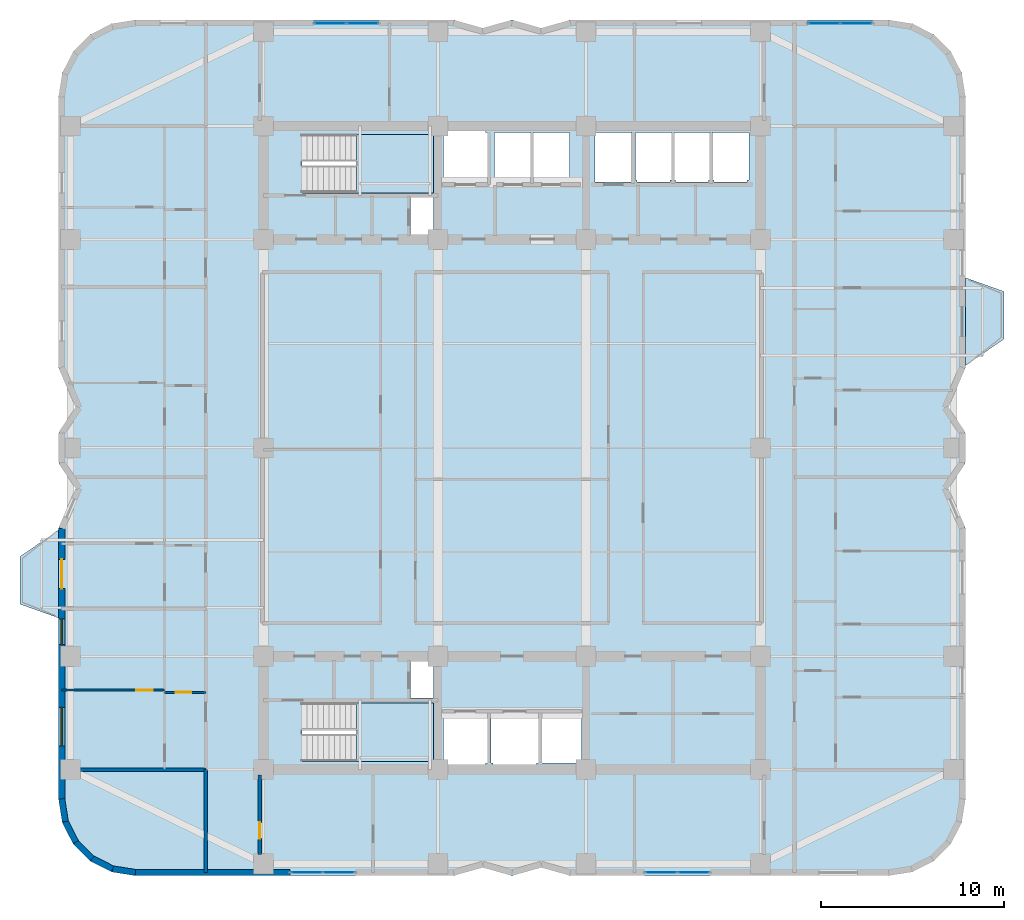
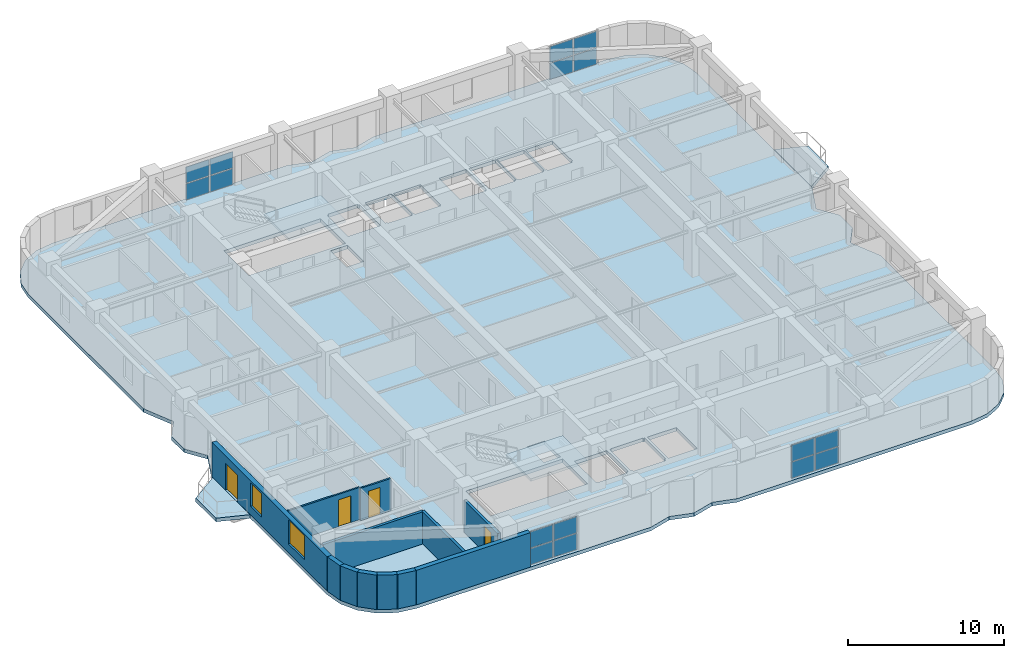
# One storey, part 7 of 15: 16 plates, 12 walls, 5 slabs, 4 doors, 2 windows, 6 openings, 6 elements without a shape of their own.
"""IFC4 building model written with IfcOpenShell, lengths in metres."""

import ifcopenshell
import ifcopenshell.guid

model = None  # the IFC model being written
_history = None  # IfcOwnerHistory: only IFC2X3 demands one
_inside = {}  # id of a spatial element -> (the spatial element, [elements in it])
_under = {}  # id of a project, library or spatial element -> (it, [spatial elements below it])
_declared = {}  # id of a project -> (the project, [libraries it declares])
_typed = {}  # id of a type object -> (the type object, [elements of that type])
_made_of = {}  # id of a material, layer set ... -> (it, [elements and type objects made of it])


def new_model(schema):
    """Start an empty IFC model of exactly this schema.

    Asked for "IFC4X3", IfcOpenShell would pick the latest addendum, in which some entities
    have other attributes; the version numbers below select the first issue.
    IFC2X3 requires an IfcOwnerHistory on every rooted entity: one is made here for all.
    """
    global model, _history
    if schema == "IFC4X3":
        model = ifcopenshell.file(schema_version=(4, 3, 0, 0))
    else:
        model = ifcopenshell.file(schema=schema)
    _inside.clear()
    _under.clear()
    _declared.clear()
    _typed.clear()
    _made_of.clear()
    _history = None
    if model.schema == "IFC2X3":
        org = make("IfcOrganization", Name="unknown")
        user = make(
            "IfcPersonAndOrganization",
            ThePerson=make("IfcPerson", FamilyName="unknown"),
            TheOrganization=org,
        )
        app = make(
            "IfcApplication",
            ApplicationDeveloper=org,
            Version="unknown",
            ApplicationFullName="unknown",
            ApplicationIdentifier="unknown",
        )
        _history = make(
            "IfcOwnerHistory",
            OwningUser=user,
            OwningApplication=app,
            ChangeAction="ADDED",
            CreationDate=0,
        )
    return model


def make(cls, **values):
    """One entity of the class cls with the attributes given. An attribute that is None is left unset."""
    return model.create_entity(
        cls, **{name: value for name, value in values.items() if value is not None}
    )


def rooted(cls, **values):
    """An entity with a GlobalId (a new one), such as an element, a storey or a relation."""
    return make(cls, GlobalId=ifcopenshell.guid.new(), OwnerHistory=_history, **values)


def si_unit(unit_type, name, prefix=None):
    """IfcSIUnit, for example si_unit("LENGTHUNIT", "METRE", prefix="MILLI")."""
    return make("IfcSIUnit", UnitType=unit_type, Prefix=prefix, Name=name)


def assignment(units):
    """IfcUnitAssignment: the units of a project."""
    return None if units is None else make("IfcUnitAssignment", Units=units)


def point(xyz):
    """IfcCartesianPoint."""
    return None if xyz is None else make("IfcCartesianPoint", Coordinates=xyz)


def direction(xyz):
    """IfcDirection."""
    return None if xyz is None else make("IfcDirection", DirectionRatios=xyz)


def frame(location, z_axis=None, x_axis=None):
    """IfcAxis2Placement3D, a coordinate frame: its origin and axes. An axis left out is left unset."""
    return make(
        "IfcAxis2Placement3D",
        Location=point(location),
        Axis=direction(z_axis),
        RefDirection=direction(x_axis),
    )


def frame_2d(location, x_axis=None):
    """IfcAxis2Placement2D, a coordinate frame in the plane: its origin and x axis."""
    return make(
        "IfcAxis2Placement2D", Location=point(location), RefDirection=direction(x_axis)
    )


def origin():
    """The frame at (0, 0, 0) with its axes left unset."""
    return frame((0.0, 0.0, 0.0))


def origin_2d():
    """The frame at (0, 0) in the plane with its x axis left unset."""
    return frame_2d((0.0, 0.0))


def place(relative_to, where):
    """IfcLocalPlacement: puts the frame where relative to a parent placement (None: the world)."""
    return make(
        "IfcLocalPlacement", PlacementRelTo=relative_to, RelativePlacement=where
    )


def context(
    kind, dimensions, precision=None, world=None, true_north=None, identifier=None
):
    """IfcGeometricRepresentationContext, for example the 3D "Model" context."""
    return make(
        "IfcGeometricRepresentationContext",
        ContextIdentifier=identifier,
        ContextType=kind,
        CoordinateSpaceDimension=dimensions,
        Precision=precision,
        WorldCoordinateSystem=world,
        TrueNorth=true_north,
    )


def subcontext(parent, identifier, kind, view, scale=None):
    """IfcGeometricRepresentationSubContext, for example "Body" below "Model"."""
    return make(
        "IfcGeometricRepresentationSubContext",
        ContextIdentifier=identifier,
        ContextType=kind,
        ParentContext=parent,
        TargetScale=scale,
        TargetView=view,
    )


def project(units=None, contexts=None):
    """IfcProject with its units and contexts."""
    return rooted(
        "IfcProject",
        Name="project",
        RepresentationContexts=contexts,
        UnitsInContext=assignment(units),
    )


def spatial(cls, under=None, at=None, **own):
    """A site, building, storey or space (cls), placed at a placement, below another one or the project."""
    s = rooted(cls, ObjectPlacement=at, **own)
    if under is not None:
        _under.setdefault(under.id(), (under, []))[1].append(s)
    return s


def polyline(points):
    """IfcPolyline through the points."""
    return make("IfcPolyline", Points=[point(p) for p in points])


def profile(cls, at=None, kind="AREA", **sizes):
    """A parametric profile (cls). Its sizes go by their IFC names, for example OverallWidth=200.0."""
    return make(cls, ProfileType=kind, Position=at, **sizes)


def rectangle(**sizes):
    """IfcRectangleProfileDef."""
    return profile("IfcRectangleProfileDef", **sizes)


def outline(outer, holes=None, kind="AREA"):
    """IfcArbitraryClosedProfileDef: a profile drawn as a closed curve; with holes, ...WithVoids."""
    if holes is None:
        return make("IfcArbitraryClosedProfileDef", ProfileType=kind, OuterCurve=outer)
    return make(
        "IfcArbitraryProfileDefWithVoids",
        ProfileType=kind,
        OuterCurve=outer,
        InnerCurves=holes,
    )


def extrude(swept, where, along, depth):
    """IfcExtrudedAreaSolid: the profile swept, set in the frame where, extruded along a direction by depth."""
    return make(
        "IfcExtrudedAreaSolid",
        SweptArea=swept,
        Position=where,
        ExtrudedDirection=direction(along),
        Depth=depth,
    )


def shape(context_of_items, identifier, shape_type, items):
    """IfcShapeRepresentation: the items that make up one representation, for example the "Body"."""
    return make(
        "IfcShapeRepresentation",
        ContextOfItems=context_of_items,
        RepresentationIdentifier=identifier,
        RepresentationType=shape_type,
        Items=items,
    )


def material(Name=None, Category=None):
    """IfcMaterial."""
    return make("IfcMaterial", Name=Name, Category=Category)


def layer(
    of_material, thickness, ventilated=None, Name=None, Category=None, Priority=None
):
    """IfcMaterialLayer: one layer of a wall or slab, of a material (None: an air gap)."""
    return make(
        "IfcMaterialLayer",
        Material=of_material,
        LayerThickness=thickness,
        IsVentilated=ventilated,
        Name=Name,
        Category=Category,
        Priority=Priority,
    )


def layer_set(layers, Name=None):
    """IfcMaterialLayerSet."""
    return make("IfcMaterialLayerSet", MaterialLayers=layers, LayerSetName=Name)


def made_of(thing, what):
    """Note that an element or type object is made of a material, layer set ...; save() writes the relation."""
    if what is not None:
        _made_of.setdefault(what.id(), (what, []))[1].append(thing)
    return thing


def type_object(cls, material=None, **own):
    """A type object (cls), such as IfcWallType, which elements share."""
    return made_of(rooted(cls, **own), material)


def element(
    cls,
    number,
    at=None,
    inside=None,
    cuts=None,
    type_object=None,
    material=None,
    context=None,
    identifier="Body",
    shape_type=None,
    held_by="IfcProductDefinitionShape",
    body=None,
    shapes=None,
    **own,
):
    """One element of the class cls, such as IfcWall. Its Tag is "e" and its number.

    at: its placement. inside: the storey or other place that contains it. cuts: it is an
    opening in that element (IfcRelVoidsElement). A single representation is given by context,
    identifier, shape_type and body (its items); several are given by shapes. held_by: the class
    of the entity that holds the representations. save() writes the other relations.
    """
    e = rooted(cls, Tag="e%d" % number, ObjectPlacement=at, **own)
    if body is not None:
        shapes = [shape(context, identifier, shape_type, body)]
    if shapes is not None:
        e.Representation = make(held_by, Representations=shapes)
    if inside is not None:
        _inside.setdefault(inside.id(), (inside, []))[1].append(e)
    if cuts is not None:
        rooted(
            "IfcRelVoidsElement", RelatingBuildingElement=cuts, RelatedOpeningElement=e
        )
    if type_object is not None:
        _typed.setdefault(type_object.id(), (type_object, []))[1].append(e)
    return made_of(e, material)


def fill(opening, filler):
    """IfcRelFillsElement: the door or window that sits in an opening."""
    return rooted(
        "IfcRelFillsElement",
        RelatingOpeningElement=opening,
        RelatedBuildingElement=filler,
    )


def aggregate(whole, parts):
    """IfcRelAggregates: a whole, such as a stair, and the parts it consists of."""
    return rooted("IfcRelAggregates", RelatingObject=whole, RelatedObjects=parts)


def save(model, path):
    """Write the relations noted so far, then the file.

    IfcRelAggregates (storeys below a building ...), IfcRelContainedInSpatialStructure (elements
    in a storey), IfcRelDefinesByType, IfcRelAssociatesMaterial and IfcRelDeclares: one each for
    every whole, place, type object, material and project.
    """
    for whole, parts in _under.values():
        aggregate(whole, parts)
    for where, things in _inside.values():
        rooted(
            "IfcRelContainedInSpatialStructure",
            RelatedElements=things,
            RelatingStructure=where,
        )
    for kind, things in _typed.values():
        rooted("IfcRelDefinesByType", RelatedObjects=things, RelatingType=kind)
    for what, things in _made_of.values():
        rooted("IfcRelAssociatesMaterial", RelatedObjects=things, RelatingMaterial=what)
    for by, libraries in _declared.values():
        rooted("IfcRelDeclares", RelatingContext=by, RelatedDefinitions=libraries)
    model.write(path)


model = new_model("IFC4")

# Units and contexts
model_context = context("Model", 3, precision=1e-05, world=origin(), true_north=direction((0.0, 1.0)))
body_context = subcontext(model_context, "Body", "Model", "MODEL_VIEW")
ifc_project = project(units=[si_unit("LENGTHUNIT", "METRE"), si_unit("AREAUNIT", "SQUARE_METRE"), si_unit("VOLUMEUNIT", "CUBIC_METRE"), si_unit("PLANEANGLEUNIT", "RADIAN"), si_unit("MASSUNIT", "GRAM", prefix="KILO")], contexts=[model_context])

# Site, building, storey
site_placement = place(None, origin())
site = spatial("IfcSite", under=ifc_project, at=site_placement, CompositionType="ELEMENT")
building_placement = place(site_placement, origin())
building = spatial("IfcBuilding", under=site, at=building_placement, Name="Svetorya Sky Lyceum", CompositionType="ELEMENT")
storey_placement = place(building_placement, frame((0.0, 0.0, 99.39990234375)))
storey = spatial("IfcBuildingStorey", under=building, at=storey_placement, Name="L24", CompositionType="ELEMENT", Elevation=99.39990234375)

# Curtain wall, plates
ifc_material_1 = material(Name="Thermally broken anodized aluminium and triple low-E glass", Category="aluminium")
curtain_wall_type = type_object("IfcCurtainWallType", Name="CW3-LOG-RES", PredefinedType="NOTDEFINED", material=ifc_material_1)
curtain_wall_1_placement = place(storey_placement, origin())
curtain_wall_1 = element("IfcCurtainWall", 1, at=curtain_wall_1_placement, inside=storey, type_object=curtain_wall_type, Name="L24 Recessed Loggia Curtain Wall 6", PredefinedType="NOTDEFINED")
ifc_material_2 = material(Name="Triple insulated low-E solar-control glass", Category="glass")
ifc_layer_1 = layer(ifc_material_2, 0.048095703125)
ifc_layer_set_1 = layer_set([ifc_layer_1], Name="Triple insulated low-E solar-control glass")
plate_type = type_object("IfcPlateType", Name="CWP-GLZ-48", PredefinedType="CURTAIN_PANEL", material=ifc_layer_set_1)
plate_1_placement = place(storey_placement, frame((27.96630859375, 4.969970703125, 0.0634765625), z_axis=(0.0, 0.0, 1.0), x_axis=(1.0, 0.0, 0.0)))
plate_1 = element("IfcPlate", 2, at=plate_1_placement, type_object=plate_type, Name="CW-3 panel 1.1", PredefinedType="CURTAIN_PANEL", context=body_context, shape_type="SweptSolid", body=[
    extrude(rectangle(XDim=1.70556640625, YDim=0.048095703125, at=origin_2d()), origin(), (0.0, 0.0, 1.0), 1.255615234375),
])
plate_2_placement = place(storey_placement, frame((27.96630859375, 4.969970703125, 1.380859375), z_axis=(0.0, 0.0, 1.0), x_axis=(1.0, 0.0, 0.0)))
plate_2 = element("IfcPlate", 3, at=plate_2_placement, type_object=plate_type, Name="CW-3 panel 1.2", PredefinedType="CURTAIN_PANEL", context=body_context, shape_type="SweptSolid", body=[
    extrude(rectangle(XDim=1.70556640625, YDim=0.048095703125, at=origin_2d()), origin(), (0.0, 0.0, 1.0), 1.255615234375),
])
plate_3_placement = place(storey_placement, frame((29.733642578125, 4.969970703125, 0.0634765625), z_axis=(0.0, 0.0, 1.0), x_axis=(1.0, 0.0, 0.0)))
plate_3 = element("IfcPlate", 4, at=plate_3_placement, type_object=plate_type, Name="CW-3 panel 2.1", PredefinedType="CURTAIN_PANEL", context=body_context, shape_type="SweptSolid", body=[
    extrude(rectangle(XDim=1.70556640625, YDim=0.048095703125, at=origin_2d()), origin(), (0.0, 0.0, 1.0), 1.255615234375),
])
plate_4_placement = place(storey_placement, frame((29.733642578125, 4.969970703125, 1.380859375), z_axis=(0.0, 0.0, 1.0), x_axis=(1.0, 0.0, 0.0)))
plate_4 = element("IfcPlate", 5, at=plate_4_placement, type_object=plate_type, Name="CW-3 panel 2.2", PredefinedType="CURTAIN_PANEL", context=body_context, shape_type="SweptSolid", body=[
    extrude(rectangle(XDim=1.70556640625, YDim=0.048095703125, at=origin_2d()), origin(), (0.0, 0.0, 1.0), 1.255615234375),
])
aggregate(curtain_wall_1, [plate_1, plate_2, plate_3, plate_4])

curtain_wall_2_placement = place(storey_placement, origin())
curtain_wall_2 = element("IfcCurtainWall", 6, at=curtain_wall_2_placement, inside=storey, type_object=curtain_wall_type, Name="L24 Recessed Loggia Curtain Wall 11", PredefinedType="NOTDEFINED")
plate_5_placement = place(storey_placement, frame((47.3662109375, 4.969970703125, 0.0634765625), z_axis=(0.0, 0.0, 1.0), x_axis=(1.0, 0.0, 0.0)))
plate_5 = element("IfcPlate", 7, at=plate_5_placement, type_object=plate_type, Name="CW-3 panel 1.1", PredefinedType="CURTAIN_PANEL", context=body_context, shape_type="SweptSolid", body=[
    extrude(rectangle(XDim=1.70556640625, YDim=0.048095703125, at=origin_2d()), origin(), (0.0, 0.0, 1.0), 1.255615234375),
])
plate_6_placement = place(storey_placement, frame((47.3662109375, 4.969970703125, 1.380859375), z_axis=(0.0, 0.0, 1.0), x_axis=(1.0, 0.0, 0.0)))
plate_6 = element("IfcPlate", 8, at=plate_6_placement, type_object=plate_type, Name="CW-3 panel 1.2", PredefinedType="CURTAIN_PANEL", context=body_context, shape_type="SweptSolid", body=[
    extrude(rectangle(XDim=1.70556640625, YDim=0.048095703125, at=origin_2d()), origin(), (0.0, 0.0, 1.0), 1.255615234375),
])
plate_7_placement = place(storey_placement, frame((49.1337890625, 4.969970703125, 0.0634765625), z_axis=(0.0, 0.0, 1.0), x_axis=(1.0, 0.0, 0.0)))
plate_7 = element("IfcPlate", 9, at=plate_7_placement, type_object=plate_type, Name="CW-3 panel 2.1", PredefinedType="CURTAIN_PANEL", context=body_context, shape_type="SweptSolid", body=[
    extrude(rectangle(XDim=1.70556640625, YDim=0.048095703125, at=origin_2d()), origin(), (0.0, 0.0, 1.0), 1.255615234375),
])
plate_8_placement = place(storey_placement, frame((49.1337890625, 4.969970703125, 1.380859375), z_axis=(0.0, 0.0, 1.0), x_axis=(1.0, 0.0, 0.0)))
plate_8 = element("IfcPlate", 10, at=plate_8_placement, type_object=plate_type, Name="CW-3 panel 2.2", PredefinedType="CURTAIN_PANEL", context=body_context, shape_type="SweptSolid", body=[
    extrude(rectangle(XDim=1.70556640625, YDim=0.048095703125, at=origin_2d()), origin(), (0.0, 0.0, 1.0), 1.255615234375),
])
aggregate(curtain_wall_2, [plate_5, plate_6, plate_7, plate_8])

curtain_wall_3_placement = place(storey_placement, origin())
curtain_wall_3 = element("IfcCurtainWall", 11, at=curtain_wall_3_placement, inside=storey, type_object=curtain_wall_type, Name="L24 Recessed Loggia Curtain Wall 29", PredefinedType="NOTDEFINED")
plate_9_placement = place(storey_placement, frame((58.03369140625, 51.429931640625, 0.0634765625), z_axis=(0.0, 0.0, 1.0), x_axis=(-1.0, 0.0, 0.0)))
plate_9 = element("IfcPlate", 12, at=plate_9_placement, type_object=plate_type, Name="CW-3 panel 1.1", PredefinedType="CURTAIN_PANEL", context=body_context, shape_type="SweptSolid", body=[
    extrude(rectangle(XDim=1.70556640625, YDim=0.048095703125, at=origin_2d()), origin(), (0.0, 0.0, 1.0), 1.255615234375),
])
plate_10_placement = place(storey_placement, frame((58.03369140625, 51.429931640625, 1.380859375), z_axis=(0.0, 0.0, 1.0), x_axis=(-1.0, 0.0, 0.0)))
plate_10 = element("IfcPlate", 13, at=plate_10_placement, type_object=plate_type, Name="CW-3 panel 1.2", PredefinedType="CURTAIN_PANEL", context=body_context, shape_type="SweptSolid", body=[
    extrude(rectangle(XDim=1.70556640625, YDim=0.048095703125, at=origin_2d()), origin(), (0.0, 0.0, 1.0), 1.255615234375),
])
plate_11_placement = place(storey_placement, frame((56.266357421875, 51.429931640625, 0.0634765625), z_axis=(0.0, 0.0, 1.0), x_axis=(-1.0, 0.0, 0.0)))
plate_11 = element("IfcPlate", 14, at=plate_11_placement, type_object=plate_type, Name="CW-3 panel 2.1", PredefinedType="CURTAIN_PANEL", context=body_context, shape_type="SweptSolid", body=[
    extrude(rectangle(XDim=1.70556640625, YDim=0.048095703125, at=origin_2d()), origin(), (0.0, 0.0, 1.0), 1.255615234375),
])
plate_12_placement = place(storey_placement, frame((56.266357421875, 51.429931640625, 1.380859375), z_axis=(0.0, 0.0, 1.0), x_axis=(-1.0, 0.0, 0.0)))
plate_12 = element("IfcPlate", 15, at=plate_12_placement, type_object=plate_type, Name="CW-3 panel 2.2", PredefinedType="CURTAIN_PANEL", context=body_context, shape_type="SweptSolid", body=[
    extrude(rectangle(XDim=1.70556640625, YDim=0.048095703125, at=origin_2d()), origin(), (0.0, 0.0, 1.0), 1.255615234375),
])
aggregate(curtain_wall_3, [plate_9, plate_10, plate_11, plate_12])

curtain_wall_4_placement = place(storey_placement, origin())
curtain_wall_4 = element("IfcCurtainWall", 16, at=curtain_wall_4_placement, inside=storey, type_object=curtain_wall_type, Name="L24 Recessed Loggia Curtain Wall 34", PredefinedType="NOTDEFINED")
plate_13_placement = place(storey_placement, frame((31.03369140625, 51.429931640625, 0.0634765625), z_axis=(0.0, 0.0, 1.0), x_axis=(-1.0, 0.0, 0.0)))
plate_13 = element("IfcPlate", 17, at=plate_13_placement, type_object=plate_type, Name="CW-3 panel 1.1", PredefinedType="CURTAIN_PANEL", context=body_context, shape_type="SweptSolid", body=[
    extrude(rectangle(XDim=1.70556640625, YDim=0.048095703125, at=origin_2d()), origin(), (0.0, 0.0, 1.0), 1.255615234375),
])
plate_14_placement = place(storey_placement, frame((31.03369140625, 51.429931640625, 1.380859375), z_axis=(0.0, 0.0, 1.0), x_axis=(-1.0, 0.0, 0.0)))
plate_14 = element("IfcPlate", 18, at=plate_14_placement, type_object=plate_type, Name="CW-3 panel 1.2", PredefinedType="CURTAIN_PANEL", context=body_context, shape_type="SweptSolid", body=[
    extrude(rectangle(XDim=1.70556640625, YDim=0.048095703125, at=origin_2d()), origin(), (0.0, 0.0, 1.0), 1.255615234375),
])
plate_15_placement = place(storey_placement, frame((29.266357421875, 51.429931640625, 0.0634765625), z_axis=(0.0, 0.0, 1.0), x_axis=(-1.0, 0.0, 0.0)))
plate_15 = element("IfcPlate", 19, at=plate_15_placement, type_object=plate_type, Name="CW-3 panel 2.1", PredefinedType="CURTAIN_PANEL", context=body_context, shape_type="SweptSolid", body=[
    extrude(rectangle(XDim=1.70556640625, YDim=0.048095703125, at=origin_2d()), origin(), (0.0, 0.0, 1.0), 1.255615234375),
])
plate_16_placement = place(storey_placement, frame((29.266357421875, 51.429931640625, 1.380859375), z_axis=(0.0, 0.0, 1.0), x_axis=(-1.0, 0.0, 0.0)))
plate_16 = element("IfcPlate", 20, at=plate_16_placement, type_object=plate_type, Name="CW-3 panel 2.2", PredefinedType="CURTAIN_PANEL", context=body_context, shape_type="SweptSolid", body=[
    extrude(rectangle(XDim=1.70556640625, YDim=0.048095703125, at=origin_2d()), origin(), (0.0, 0.0, 1.0), 1.255615234375),
])
aggregate(curtain_wall_4, [plate_13, plate_14, plate_15, plate_16])

# Slabs
ifc_material_3 = material(Name="Concrete C40/50", Category="concrete")
ifc_layer_2 = layer(ifc_material_3, 0.280029296875)
ifc_layer_set_2 = layer_set([ifc_layer_2], Name="Concrete C40/50")
slab_type_1 = type_object("IfcSlabType", Name="SL-BAL-280", PredefinedType="FLOOR", material=ifc_layer_set_2)
slab_1_placement = place(storey_placement, frame((0.0, 0.0, -0.27978515625)))
element("IfcSlab", 21, at=slab_1_placement, inside=storey, type_object=slab_type_1, Name="L24 Chamfered Loggia Balcony BAL-W1", PredefinedType="FLOOR", context=body_context, shape_type="SweptSolid", body=[
    extrude(outline(polyline([(14.389892578125, 18.89990234375), (14.389892578125, 23.699951171875), (12.2900390625, 22.25), (12.2900390625, 19.64990234375), (14.389892578125, 18.89990234375)])), origin(), (0.0, 0.0, 1.0), 0.27978515625),
])
slab_2_placement = place(storey_placement, frame((0.0, 0.0, -0.27978515625)))
element("IfcSlab", 22, at=slab_2_placement, inside=storey, type_object=slab_type_1, Name="L24 Chamfered Loggia Balcony BAL-E1", PredefinedType="FLOOR", context=body_context, shape_type="SweptSolid", body=[
    extrude(outline(polyline([(64.010009765625, 32.699951171875), (66.110107421875, 34.14990234375), (66.110107421875, 36.75), (64.010009765625, 37.5), (64.010009765625, 32.699951171875)])), origin(), (0.0, 0.0, 1.0), 0.27978515625),
])

# Stair, slab
stair_type_1 = type_object("IfcStairType", Name="STR-ST-S", PredefinedType="HALF_TURN_STAIR", material=ifc_material_3)
stair_1_placement = place(storey_placement, origin())
stair_1 = element("IfcStair", 23, at=stair_1_placement, inside=storey, type_object=stair_type_1, Name="L24 South Core Smoke-Free Exit Stair N2", PredefinedType="HALF_TURN_STAIR")
ifc_layer_3 = layer(ifc_material_3, 0.199951171875)
ifc_layer_set_3 = layer_set([ifc_layer_3], Name="Concrete C40/50")
slab_type_2 = type_object("IfcSlabType", Name="SL-STR-LAND-200", PredefinedType="LANDING", material=ifc_layer_set_3)
slab_3_placement = place(storey_placement, frame((0.0, 0.0, 1.650146484375)))
slab_3 = element("IfcSlab", 24, at=slab_3_placement, type_object=slab_type_2, Name="ST-S landing 1", PredefinedType="LANDING", context=body_context, shape_type="SweptSolid", body=[
    extrude(outline(polyline([(30.699951171875, 11.050048828125), (34.89990234375, 11.050048828125), (34.89990234375, 14.25), (30.699951171875, 14.25), (30.699951171875, 11.050048828125)])), origin(), (0.0, 0.0, 1.0), 0.199951171875),
])
aggregate(stair_1, [slab_3])

stair_type_2 = type_object("IfcStairType", Name="STR-ST-N", PredefinedType="HALF_TURN_STAIR", material=ifc_material_3)
stair_2_placement = place(storey_placement, origin())
stair_2 = element("IfcStair", 25, at=stair_2_placement, inside=storey, type_object=stair_type_2, Name="L24 North Core Smoke-Free Exit Stair N3", PredefinedType="HALF_TURN_STAIR")
slab_4_placement = place(storey_placement, frame((0.0, 0.0, 1.650146484375)))
slab_4 = element("IfcSlab", 26, at=slab_4_placement, type_object=slab_type_2, Name="ST-N landing 1", PredefinedType="LANDING", context=body_context, shape_type="SweptSolid", body=[
    extrude(outline(polyline([(30.699951171875, 42.14990234375), (34.89990234375, 42.14990234375), (34.89990234375, 45.35009765625), (30.699951171875, 45.35009765625), (30.699951171875, 42.14990234375)])), origin(), (0.0, 0.0, 1.0), 0.199951171875),
])
aggregate(stair_2, [slab_4])

# Slab
ifc_material_4 = material(Name="Concrete C50/60", Category="concrete")
ifc_layer_4 = layer(ifc_material_4, 0.280029296875)
ifc_layer_set_4 = layer_set([ifc_layer_4], Name="Concrete C50/60")
slab_type_3 = type_object("IfcSlabType", Name="SL-TWR-280", PredefinedType="FLOOR", material=ifc_layer_set_4)
slab_5_placement = place(storey_placement, frame((0.0, 0.0, -0.27978515625)))
element("IfcSlab", 27, at=slab_5_placement, inside=storey, type_object=slab_type_3, Name="L24 Structural Floor Slab", PredefinedType="FLOOR", context=body_context, shape_type="SweptSolid", body=[
    extrude(outline(polyline([(14.39990234375, 9.0), (14.605712890625, 7.7021484375), (15.2021484375, 6.53125), (16.13134765625, 5.60205078125), (17.302001953125, 5.005615234375), (18.60009765625, 4.800048828125), (36.0, 4.800048828125), (37.60009765625, 5.25), (39.199951171875, 4.800048828125), (40.800048828125, 5.25), (42.39990234375, 4.800048828125), (59.800048828125, 4.800048828125), (61.097900390625, 5.005615234375), (62.268798828125, 5.60205078125), (63.197998046875, 6.53125), (63.79443359375, 7.7021484375), (64.0, 9.0), (64.0, 23.800048828125), (63.050048828125, 26.0), (64.0, 27.39990234375), (64.0, 29.0), (63.050048828125, 30.39990234375), (64.0, 32.60009765625), (64.0, 47.39990234375), (63.79443359375, 48.697998046875), (63.197998046875, 49.86865234375), (62.268798828125, 50.7978515625), (61.097900390625, 51.394287109375), (59.800048828125, 51.60009765625), (42.39990234375, 51.60009765625), (40.800048828125, 51.14990234375), (39.199951171875, 51.60009765625), (37.60009765625, 51.14990234375), (36.0, 51.60009765625), (18.60009765625, 51.60009765625), (17.302001953125, 51.394287109375), (16.13134765625, 50.7978515625), (15.2021484375, 49.86865234375), (14.605712890625, 48.697998046875), (14.39990234375, 47.39990234375), (14.39990234375, 32.60009765625), (15.35009765625, 30.39990234375), (14.39990234375, 29.0), (14.39990234375, 27.39990234375), (15.35009765625, 26.0), (14.39990234375, 23.800048828125), (14.39990234375, 9.0)]), holes=[polyline([(37.85009765625, 10.949951171875), (37.75, 10.949951171875), (37.75, 10.85009765625), (35.550048828125, 10.85009765625), (35.550048828125, 10.949951171875), (35.449951171875, 10.949951171875), (35.449951171875, 13.64990234375), (35.550048828125, 13.64990234375), (37.75, 13.64990234375), (37.85009765625, 13.64990234375), (37.85009765625, 10.949951171875)]), polyline([(40.64990234375, 13.64990234375), (40.64990234375, 10.949951171875), (40.550048828125, 10.949951171875), (40.550048828125, 10.800048828125), (38.14990234375, 10.800048828125), (38.14990234375, 10.949951171875), (38.050048828125, 10.949951171875), (38.050048828125, 13.64990234375), (38.14990234375, 13.64990234375), (38.14990234375, 13.699951171875), (40.550048828125, 13.699951171875), (40.550048828125, 13.64990234375), (40.64990234375, 13.64990234375)]), polyline([(27.719970703125, 14.25), (34.89990234375, 14.25), (34.89990234375, 11.050048828125), (27.719970703125, 11.050048828125), (27.719970703125, 14.25)]), polyline([(33.64990234375, 14.52001953125), (33.64990234375, 16.580078125), (34.89990234375, 16.580078125), (34.89990234375, 14.52001953125), (33.64990234375, 14.52001953125)]), polyline([(33.64990234375, 41.89990234375), (34.89990234375, 41.89990234375), (34.89990234375, 39.820068359375), (33.64990234375, 39.820068359375), (33.64990234375, 41.89990234375)]), polyline([(27.719970703125, 45.35009765625), (34.89990234375, 45.35009765625), (34.89990234375, 42.14990234375), (27.719970703125, 42.14990234375), (27.719970703125, 45.35009765625)]), polyline([(37.75, 45.550048828125), (37.75, 45.449951171875), (37.85009765625, 45.449951171875), (37.85009765625, 42.75), (37.75, 42.75), (35.550048828125, 42.75), (35.449951171875, 42.75), (35.449951171875, 45.449951171875), (35.550048828125, 45.449951171875), (35.550048828125, 45.550048828125), (37.75, 45.550048828125)]), polyline([(38.39990234375, 42.85009765625), (38.25, 42.85009765625), (38.25, 45.449951171875), (38.39990234375, 45.449951171875), (40.199951171875, 45.449951171875), (40.25, 45.449951171875), (40.25, 42.85009765625), (40.199951171875, 42.85009765625), (40.199951171875, 42.75), (38.39990234375, 42.75), (38.39990234375, 42.85009765625)]), polyline([(40.85009765625, 13.64990234375), (43.0, 13.64990234375), (43.0, 10.949951171875), (40.85009765625, 10.949951171875), (40.85009765625, 13.64990234375)]), polyline([(40.39990234375, 42.85009765625), (40.35009765625, 42.85009765625), (40.35009765625, 45.449951171875), (40.39990234375, 45.449951171875), (42.300048828125, 45.449951171875), (42.35009765625, 45.449951171875), (42.35009765625, 42.85009765625), (42.300048828125, 42.85009765625), (42.300048828125, 42.75), (40.39990234375, 42.75), (40.39990234375, 42.85009765625)]), polyline([(43.75, 42.75), (43.75, 42.85009765625), (43.75, 45.449951171875), (45.699951171875, 45.449951171875), (45.75, 45.449951171875), (45.75, 42.85009765625), (45.699951171875, 42.85009765625), (45.699951171875, 42.75), (43.75, 42.75)]), polyline([(46.050048828125, 42.85009765625), (45.949951171875, 42.85009765625), (45.949951171875, 45.449951171875), (46.050048828125, 45.449951171875), (47.85009765625, 45.449951171875), (47.949951171875, 45.449951171875), (47.949951171875, 42.85009765625), (47.85009765625, 42.85009765625), (47.85009765625, 42.75), (46.050048828125, 42.75), (46.050048828125, 42.85009765625)]), polyline([(48.14990234375, 42.85009765625), (48.050048828125, 42.85009765625), (48.050048828125, 45.449951171875), (48.14990234375, 45.449951171875), (49.949951171875, 45.449951171875), (50.050048828125, 45.449951171875), (50.050048828125, 42.85009765625), (49.949951171875, 42.85009765625), (49.949951171875, 42.75), (48.14990234375, 42.75), (48.14990234375, 42.85009765625)]), polyline([(52.14990234375, 42.85009765625), (52.050048828125, 42.85009765625), (52.050048828125, 42.75), (50.25, 42.75), (50.25, 42.85009765625), (50.14990234375, 42.85009765625), (50.14990234375, 45.449951171875), (50.25, 45.449951171875), (52.050048828125, 45.449951171875), (52.14990234375, 45.449951171875), (52.14990234375, 42.85009765625)])]), origin(), (0.0, 0.0, 1.0), 0.27978515625),
])

# Walls
ifc_material_5 = material(Name="Putilovo limestone rainscreen on autoclaved cellular masonry", Category="masonry")
ifc_layer_5 = layer(ifc_material_5, 0.340087890625)
ifc_layer_set_5 = layer_set([ifc_layer_5], Name="Putilovo limestone rainscreen on autoclaved cellular masonry")
wall_type_1 = type_object("IfcWallType", Name="WL-EXT-340", PredefinedType="SOLIDWALL", material=ifc_layer_set_5)
wall_1_placement = place(storey_placement, frame((14.570068359375, 9.0, 0.0), z_axis=(0.0, 0.0, 1.0), x_axis=(0.156260864002, -0.98771582066, 0.0)))
element("IfcWall", 28, at=wall_1_placement, inside=storey, type_object=wall_type_1, Name="L24 Limestone Exterior Wall 1M", PredefinedType="SOLIDWALL", context=body_context, shape_type="SweptSolid", body=[
    extrude(rectangle(XDim=1.2607421875, YDim=0.340087890625, at=frame_2d((0.63037109375, 0.0))), origin(), (0.0, 0.0, 1.0), 2.7001953125),
])
wall_2_placement = place(storey_placement, frame((14.76708984375, 7.754638671875, 0.0), z_axis=(0.0, 0.0, 1.0), x_axis=(0.454015689056, -0.890993689142, 0.0)))
element("IfcWall", 29, at=wall_2_placement, inside=storey, type_object=wall_type_1, Name="L24 Limestone Exterior Wall 2M", PredefinedType="SOLIDWALL", context=body_context, shape_type="SweptSolid", body=[
    extrude(rectangle(XDim=1.260986328125, YDim=0.340087890625, at=frame_2d((0.63037109375, 0.0))), origin(), (0.0, 0.0, 1.0), 2.7001953125),
])
wall_3_placement = place(storey_placement, frame((15.339599609375, 6.631103515625, 0.0), z_axis=(0.0, 0.0, 1.0), x_axis=(0.707203598708, -0.707009950407, 0.0)))
element("IfcWall", 30, at=wall_3_placement, inside=storey, type_object=wall_type_1, Name="L24 Limestone Exterior Wall 3M", PredefinedType="SOLIDWALL", context=body_context, shape_type="SweptSolid", body=[
    extrude(rectangle(XDim=1.2607421875, YDim=0.340087890625, at=frame_2d((0.63037109375, 0.0))), origin(), (0.0, 0.0, 1.0), 2.7001953125),
])
for number, where, z_axis, x_axis, name in (
    (31, (16.231201171875, 5.73974609375, 0.0), (0.0, 0.0, 1.0), (0.890993689142, -0.454015689056, 0.0), "L24 Limestone Exterior Wall 4M"),
    (32, (17.354736328125, 5.167236328125, 0.0), (0.0, 0.0, 1.0), (0.987685918112, -0.15644975923, 0.0), "L24 Limestone Exterior Wall 5M"),
):
    element("IfcWall", number, at=place(storey_placement, frame(where, z_axis=z_axis, x_axis=x_axis)), inside=storey, type_object=wall_type_1, Name=name, PredefinedType="SOLIDWALL", context=body_context, shape_type="SweptSolid", body=[
        extrude(rectangle(XDim=1.260986328125, YDim=0.340087890625, at=frame_2d((0.63037109375, 0.0))), origin(), (0.0, 0.0, 1.0), 2.7001953125),
    ])
wall_4_placement = place(storey_placement, frame((18.60009765625, 4.969970703125, 0.0), z_axis=(0.0, 0.0, 1.0), x_axis=(1.0, 0.0, 0.0)))
element("IfcWall", 33, at=wall_4_placement, inside=storey, type_object=wall_type_1, Name="L24 Limestone Exterior Wall 6A", PredefinedType="SOLIDWALL", context=body_context, shape_type="SweptSolid", body=[
    extrude(rectangle(XDim=8.449951171875, YDim=0.340087890625, at=frame_2d((4.22509765625, 0.0))), origin(), (0.0, 0.0, 1.0), 2.7001953125),
])

# Wall, openings, door, windows
wall_5_placement = place(storey_placement, frame((14.570068359375, 23.800048828125, 0.0), z_axis=(0.0, 0.0, 1.0), x_axis=(0.0, -1.0, 0.0)))
wall_5 = element("IfcWall", 34, at=wall_5_placement, inside=storey, type_object=wall_type_1, Name="L24 Limestone Exterior Wall 46M", PredefinedType="SOLIDWALL", context=body_context, shape_type="SweptSolid", body=[
    extrude(rectangle(XDim=14.800048828125, YDim=0.340087890625, at=frame_2d((7.39990234375, 0.0))), origin(), (0.0, 0.0, 1.0), 2.7001953125),
])
opening_1_placement = place(wall_5_placement, frame((1.699951171875, 0.0, 0.0)))
opening_1 = element("IfcOpeningElement", 35, at=opening_1_placement, cuts=wall_5, Name="Opening D-BL1", PredefinedType="OPENING", context=body_context, shape_type="SweptSolid", body=[
    extrude(rectangle(XDim=1.60009765625, YDim=2.10009765625, at=frame_2d((0.800048828125, 1.050048828125))), frame((0.0, 0.179931640625, 0.0), z_axis=(0.0, -1.0, 0.0), x_axis=(1.0, 0.0, 0.0)), (0.0, 0.0, 1.0), 0.360107421875),
])
opening_2_placement = place(wall_5_placement, frame((4.9599609375, 0.0, 0.68994140625)))
opening_2 = element("IfcOpeningElement", 36, at=opening_2_placement, cuts=wall_5, Name="Opening W-R2", PredefinedType="OPENING", context=body_context, shape_type="SweptSolid", body=[
    extrude(rectangle(XDim=1.39990234375, YDim=1.85009765625, at=frame_2d((0.699951171875, 0.925048828125))), frame((0.0, 0.179931640625, 0.0), z_axis=(0.0, -1.0, 0.0), x_axis=(1.0, 0.0, 0.0)), (0.0, 0.0, 1.0), 0.360107421875),
])
opening_3_placement = place(wall_5_placement, frame((9.800048828125, 0.0, 0.679931640625)))
opening_3 = element("IfcOpeningElement", 37, at=opening_3_placement, cuts=wall_5, Name="Opening W-R0", PredefinedType="OPENING", context=body_context, shape_type="SweptSolid", body=[
    extrude(rectangle(XDim=2.10009765625, YDim=1.89990234375, at=frame_2d((1.050048828125, 0.949951171875))), frame((0.0, 0.179931640625, 0.0), z_axis=(0.0, -1.0, 0.0), x_axis=(1.0, 0.0, 0.0)), (0.0, 0.0, 1.0), 0.360107421875),
])
ifc_material_6 = material(Name="Insulated glazed aluminium balcony door", Category="aluminium")
door_type_1 = type_object("IfcDoorType", Name="DR-BAL-1600", OperationType="DOUBLE_DOOR_SINGLE_SWING", PredefinedType="DOOR", material=ifc_material_6)
door_1_placement = place(opening_1_placement, origin())
door_1 = element("IfcDoor", 38, at=door_1_placement, inside=storey, type_object=door_type_1, Name="L24 Balcony BAL-W1 Door", OperationType="DOUBLE_DOOR_SINGLE_SWING", OverallHeight=2.10009765625, OverallWidth=1.60009765625, PredefinedType="DOOR", context=body_context, shape_type="SweptSolid", body=[
    extrude(rectangle(XDim=1.60009765625, YDim=2.10009765625, at=frame_2d((0.800048828125, 1.050048828125))), frame((0.0, 0.02490234375, 0.0), z_axis=(0.0, -1.0, 0.0), x_axis=(1.0, 0.0, 0.0)), (0.0, 0.0, 1.0), 0.050048828125),
])
fill(opening_1, door_1)
ifc_material_7 = material(Name="Thermally broken aluminium frame with triple low-E glazing", Category="aluminium")
window_type_1 = type_object("IfcWindowType", Name="WN-RES-140", PartitioningType="SINGLE_PANEL", PredefinedType="WINDOW", material=ifc_material_7)
window_1_placement = place(opening_2_placement, origin())
window_1 = element("IfcWindow", 39, at=window_1_placement, inside=storey, type_object=window_type_1, Name="L24 Facade Window W-R2.46M.2", OverallHeight=1.85009765625, OverallWidth=1.39990234375, PartitioningType="SINGLE_PANEL", PredefinedType="WINDOW", context=body_context, shape_type="SweptSolid", body=[
    extrude(rectangle(XDim=1.39990234375, YDim=1.85009765625, at=frame_2d((0.699951171875, 0.925048828125))), frame((0.0, 0.030029296875, 0.0), z_axis=(0.0, -1.0, 0.0), x_axis=(1.0, 0.0, 0.0)), (0.0, 0.0, 1.0), 0.06005859375),
])
fill(opening_2, window_1)
window_type_2 = type_object("IfcWindowType", Name="WN-RES-210", PartitioningType="TRIPLE_PANEL_VERTICAL", PredefinedType="WINDOW", material=ifc_material_7)
window_2_placement = place(opening_3_placement, origin())
window_2 = element("IfcWindow", 40, at=window_2_placement, inside=storey, type_object=window_type_2, Name="L24 Facade Window W-R0.46M.1", OverallHeight=1.89990234375, OverallWidth=2.10009765625, PartitioningType="SINGLE_PANEL", PredefinedType="WINDOW", context=body_context, shape_type="SweptSolid", body=[
    extrude(rectangle(XDim=2.10009765625, YDim=1.89990234375, at=frame_2d((1.050048828125, 0.949951171875))), frame((0.0, 0.030029296875, 0.0), z_axis=(0.0, -1.0, 0.0), x_axis=(1.0, 0.0, 0.0)), (0.0, 0.0, 1.0), 0.06005859375),
])
fill(opening_3, window_2)

# Wall, opening, door
ifc_material_8 = material(Name="Twin-stud galvanized framing with double fireboard", Category="gypsum")
ifc_layer_6 = layer(ifc_material_8, 0.1201171875)
ifc_layer_set_6 = layer_set([ifc_layer_6], Name="Twin-stud galvanized framing with double fireboard")
wall_type_2 = type_object("IfcWallType", Name="WL-PART-120", PredefinedType="PARTITIONING", material=ifc_layer_set_6)
wall_6_placement = place(storey_placement, frame((20.199951171875, 14.820068359375, 0.0), z_axis=(0.0, 0.0, 1.0), x_axis=(1.0, 0.0, 0.0)))
wall_6 = element("IfcWall", 41, at=wall_6_placement, inside=storey, type_object=wall_type_2, Name="L24 Interior Partition W1-WH1", PredefinedType="PARTITIONING", context=body_context, shape_type="SweptSolid", body=[
    extrude(rectangle(XDim=2.25, YDim=0.1201171875, at=frame_2d((1.125, 0.0))), origin(), (0.0, 0.0, 1.0), 2.530029296875),
])
opening_4_placement = place(wall_6_placement, frame((0.60009765625, 0.0, 0.0)))
opening_4 = element("IfcOpeningElement", 42, at=opening_4_placement, cuts=wall_6, Name="Opening D-BT1", PredefinedType="OPENING", context=body_context, shape_type="SweptSolid", body=[
    extrude(rectangle(XDim=0.85009765625, YDim=2.10009765625, at=frame_2d((0.425048828125, 1.050048828125))), frame((0.0, 0.070068359375, 0.0), z_axis=(0.0, -1.0, 0.0), x_axis=(1.0, 0.0, 0.0)), (0.0, 0.0, 1.0), 0.14013671875),
])
ifc_material_9 = material(Name="Moisture-resistant laminate bathroom door")
door_type_2 = type_object("IfcDoorType", Name="DR-WET-850", OperationType="SINGLE_SWING_LEFT", PredefinedType="DOOR", material=ifc_material_9)
door_2_placement = place(opening_4_placement, origin())
door_2 = element("IfcDoor", 43, at=door_2_placement, inside=storey, type_object=door_type_2, Name="Apartment W1 Bathroom Door", OperationType="SINGLE_SWING_LEFT", OverallHeight=2.10009765625, OverallWidth=0.85009765625, PredefinedType="DOOR", context=body_context, shape_type="SweptSolid", body=[
    extrude(rectangle(XDim=0.85009765625, YDim=2.10009765625, at=frame_2d((0.425048828125, 1.050048828125))), frame((0.0, 0.02490234375, 0.0), z_axis=(0.0, -1.0, 0.0), x_axis=(1.0, 0.0, 0.0)), (0.0, 0.0, 1.0), 0.050048828125),
])
fill(opening_4, door_2)

wall_7_placement = place(storey_placement, frame((14.570068359375, 14.949951171875, 0.0), z_axis=(0.0, 0.0, 1.0), x_axis=(1.0, 0.0, 0.0)))
wall_7 = element("IfcWall", 44, at=wall_7_placement, inside=storey, type_object=wall_type_2, Name="L24 Interior Partition W1-WL1", PredefinedType="PARTITIONING", context=body_context, shape_type="SweptSolid", body=[
    extrude(rectangle(XDim=5.6298828125, YDim=0.1201171875, at=frame_2d((2.81494140625, 0.0))), origin(), (0.0, 0.0, 1.0), 2.530029296875),
])
opening_5_placement = place(wall_7_placement, frame((4.080078125, 0.0, 0.0)))
opening_5 = element("IfcOpeningElement", 45, at=opening_5_placement, cuts=wall_7, Name="Opening D-RM1", PredefinedType="OPENING", context=body_context, shape_type="SweptSolid", body=[
    extrude(rectangle(XDim=0.89990234375, YDim=2.10009765625, at=frame_2d((0.449951171875, 1.050048828125))), frame((0.0, 0.070068359375, 0.0), z_axis=(0.0, -1.0, 0.0), x_axis=(1.0, 0.0, 0.0)), (0.0, 0.0, 1.0), 0.14013671875),
])
ifc_material_10 = material(Name="Lacquered birch veneer internal door")
door_type_3 = type_object("IfcDoorType", Name="DR-INT-900", OperationType="SINGLE_SWING_LEFT", PredefinedType="DOOR", material=ifc_material_10)
door_3_placement = place(opening_5_placement, origin())
door_3 = element("IfcDoor", 46, at=door_3_placement, inside=storey, type_object=door_type_3, Name="Apartment W1 Bedroom 1 Door", OperationType="SINGLE_SWING_LEFT", OverallHeight=2.10009765625, OverallWidth=0.89990234375, PredefinedType="DOOR", context=body_context, shape_type="SweptSolid", body=[
    extrude(rectangle(XDim=0.89990234375, YDim=2.10009765625, at=frame_2d((0.449951171875, 1.050048828125))), frame((0.0, 0.02490234375, 0.0), z_axis=(0.0, -1.0, 0.0), x_axis=(1.0, 0.0, 0.0)), (0.0, 0.0, 1.0), 0.050048828125),
])
fill(opening_5, door_3)

# Walls
ifc_material_11 = material(Name="Autoclaved cellular masonry blockwork with gypsum plaster", Category="masonry")
ifc_layer_7 = layer(ifc_material_11, 0.199951171875)
ifc_layer_set_7 = layer_set([ifc_layer_7], Name="Autoclaved cellular masonry blockwork with gypsum plaster")
wall_type_3 = type_object("IfcWallType", Name="WL-PART-200", PredefinedType="PARTITIONING", material=ifc_layer_set_7)
wall_8_placement = place(storey_placement, frame((14.989990234375, 10.60009765625, 0.0), z_axis=(0.0, 0.0, 1.0), x_axis=(1.0, 0.0, 0.0)))
element("IfcWall", 47, at=wall_8_placement, inside=storey, type_object=wall_type_3, Name="L24 Interior Partition W-CAP-S", PredefinedType="PARTITIONING", context=body_context, shape_type="SweptSolid", body=[
    extrude(rectangle(XDim=7.4599609375, YDim=0.199951171875, at=frame_2d((3.72998046875, 0.0))), origin(), (0.0, 0.0, 1.0), 2.530029296875),
])
wall_9_placement = place(storey_placement, frame((22.449951171875, 4.969970703125, 0.0), z_axis=(0.0, 0.0, 1.0), x_axis=(0.0, 1.0, 0.0)))
element("IfcWall", 48, at=wall_9_placement, inside=storey, type_object=wall_type_3, Name="L24 Interior Partition WC-SW-END", PredefinedType="PARTITIONING", context=body_context, shape_type="SweptSolid", body=[
    extrude(rectangle(XDim=5.630126953125, YDim=0.199951171875, at=frame_2d((2.81494140625, 0.0))), origin(), (0.0, 0.0, 1.0), 2.530029296875),
])

# Wall, opening, door
wall_10_placement = place(storey_placement, frame((25.39990234375, 5.969970703125, 0.0), z_axis=(0.0, 0.0, 1.0), x_axis=(0.0, 1.0, 0.0)))
wall_10 = element("IfcWall", 49, at=wall_10_placement, inside=storey, type_object=wall_type_3, Name="L24 Interior Partition S-EW", PredefinedType="PARTITIONING", context=body_context, shape_type="SweptSolid", body=[
    extrude(rectangle(XDim=4.330078125, YDim=0.199951171875, at=frame_2d((2.1650390625, 0.0))), origin(), (0.0, 0.0, 1.0), 2.530029296875),
])
opening_6_placement = place(wall_10_placement, frame((0.85009765625, 0.0, 0.0)))
opening_6 = element("IfcOpeningElement", 50, at=opening_6_placement, cuts=wall_10, Name="Opening D-RM1", PredefinedType="OPENING", context=body_context, shape_type="SweptSolid", body=[
    extrude(rectangle(XDim=0.89990234375, YDim=2.10009765625, at=frame_2d((0.449951171875, 1.050048828125))), frame((0.0, 0.10986328125, 0.0), z_axis=(0.0, -1.0, 0.0), x_axis=(1.0, 0.0, 0.0)), (0.0, 0.0, 1.0), 0.219970703125),
])
door_4_placement = place(opening_6_placement, origin())
door_4 = element("IfcDoor", 51, at=door_4_placement, inside=storey, type_object=door_type_3, Name="L24 South Study Door", OperationType="SINGLE_SWING_LEFT", OverallHeight=2.10009765625, OverallWidth=0.89990234375, PredefinedType="DOOR", context=body_context, shape_type="SweptSolid", body=[
    extrude(rectangle(XDim=0.89990234375, YDim=2.10009765625, at=frame_2d((0.449951171875, 1.050048828125))), frame((0.0, 0.02490234375, 0.0), z_axis=(0.0, -1.0, 0.0), x_axis=(1.0, 0.0, 0.0)), (0.0, 0.0, 1.0), 0.050048828125),
])
fill(opening_6, door_4)

save(model, "model.ifc")
